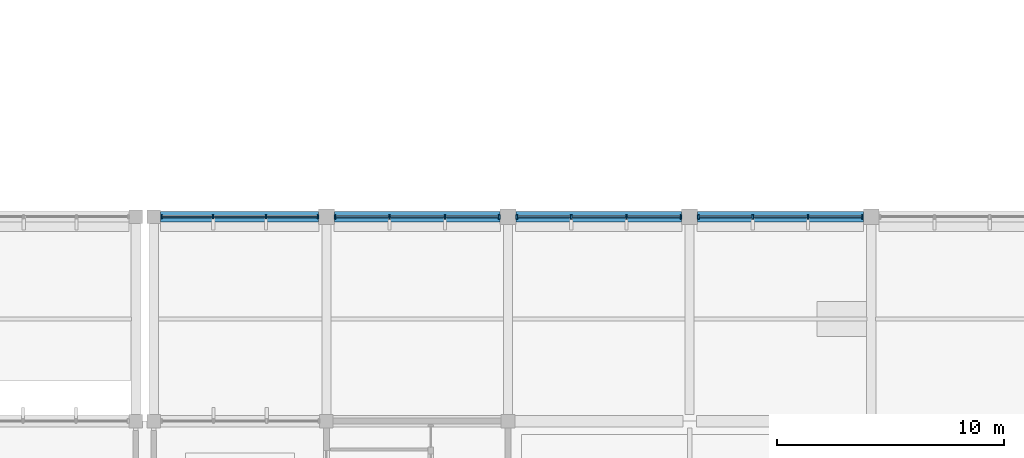
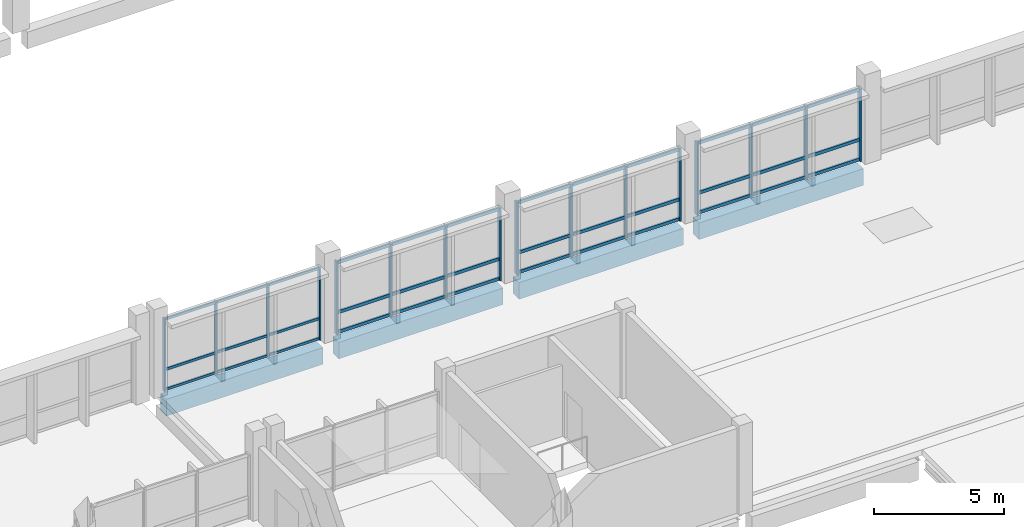
# One storey, part 32 of 70: 52 members, 4 beams, 4 elements without a shape of their own.
"""IFC4 building model written with IfcOpenShell, lengths in metres."""

from ifc_helpers import new_model, si_unit, direction, frame, origin, origin_2d, place, context, subcontext, project, spatial, rectangle, extrude, material, material_profile, profile_set, type_object, element, aggregate, save


model = new_model("IFC4")

# Units and contexts
model_context = context("Model", 3, precision=1e-05, world=origin(), true_north=direction((0.0, 1.0)))
body_context = subcontext(model_context, "Body", "Model", "MODEL_VIEW")
ifc_project = project(units=[si_unit("LENGTHUNIT", "METRE"), si_unit("AREAUNIT", "SQUARE_METRE"), si_unit("VOLUMEUNIT", "CUBIC_METRE"), si_unit("PLANEANGLEUNIT", "RADIAN"), si_unit("MASSUNIT", "GRAM", prefix="KILO"), si_unit("THERMODYNAMICTEMPERATUREUNIT", "KELVIN"), si_unit("POWERUNIT", "WATT")], contexts=[model_context])

# Site, building, storey
site_placement = place(None, origin())
site = spatial("IfcSite", under=ifc_project, at=site_placement, CompositionType="ELEMENT")
building_placement = place(site_placement, origin())
building = spatial("IfcBuilding", under=site, at=building_placement, Name="Kronsvod Quay Wholesale Market", CompositionType="ELEMENT")
storey_placement = place(building_placement, frame((0.0, 0.0, 9.0)))
storey = spatial("IfcBuildingStorey", under=building, at=storey_placement, Name="L02", CompositionType="ELEMENT", Elevation=9.0)

# Beams
ifc_material_1 = material(Name="Precast concrete C40/50", Category="concrete")
ifc_material_profile_1 = material_profile(ifc_material_1, rectangle(XDim=0.4599609375, YDim=0.780029296875, at=origin_2d()), Name="PB-03")
ifc_profile_set_1 = profile_set([ifc_material_profile_1], Name="Precast concrete C40/50")
beam_type = type_object("IfcBeamType", Name="Beam_PCB460x780", PredefinedType="BEAM", material=ifc_profile_set_1)
beam_placement = place(storey_placement, frame((128.699951171875, 54.0, -0.64990234375), z_axis=(1.0, 0.0, 0.0), x_axis=(0.0, 1.0, 0.0)))
element("IfcBeam", 1, at=beam_placement, inside=storey, type_object=beam_type, Name="BMX-L02-1284-540", PredefinedType="BEAM", context=body_context, shape_type="SweptSolid", body=[
    extrude(rectangle(XDim=0.4599609375, YDim=0.780029296875, at=origin_2d()), origin(), (0.0, 0.0, 1.0), 6.949951171875),
])
for number, where, z_axis, x_axis, name in (
    (2, (136.35009765625, 54.0, -0.64990234375), (1.0, 0.0, 0.0), (0.0, 1.0, 0.0), "BMX-L02-1360-540"),
    (3, (144.35009765625, 54.0, -0.64990234375), (1.0, 0.0, 0.0), (0.0, 1.0, 0.0), "BMX-L02-1440-540"),
    (4, (152.35009765625, 54.0, -0.64990234375), (1.0, 0.0, 0.0), (0.0, 1.0, 0.0), "BMX-L02-1520-540"),
):
    element("IfcBeam", number, at=place(storey_placement, frame(where, z_axis=z_axis, x_axis=x_axis)), inside=storey, type_object=beam_type, Name=name, PredefinedType="BEAM", context=body_context, shape_type="SweptSolid", body=[
        extrude(rectangle(XDim=0.4599609375, YDim=0.780029296875, at=origin_2d()), origin(), (0.0, 0.0, 1.0), 7.2998046875),
    ])

# Curtain wall, members
ifc_material_2 = material(Name="Thermally broken aluminium and triple low-E glazing", Category="aluminium")
curtain_wall_type = type_object("IfcCurtainWallType", Name="CW_Clerestory80x32", PredefinedType="NOTDEFINED", material=ifc_material_2)
curtain_wall_1_placement = place(storey_placement, origin())
curtain_wall_1 = element("IfcCurtainWall", 5, at=curtain_wall_1_placement, inside=storey, type_object=curtain_wall_type, Name="CWGX-L02-1284-540", PredefinedType="NOTDEFINED")
ifc_material_3 = material(Name="Anodised aluminium", Category="aluminium")
ifc_material_profile_2 = material_profile(ifc_material_3, rectangle(XDim=0.06494140625, YDim=0.159912109375, at=origin_2d()), Name="ALUM65x160")
ifc_profile_set_2 = profile_set([ifc_material_profile_2], Name="Anodised aluminium")
member_type_1 = type_object("IfcMemberType", Name="Mullion_ALU65x160", PredefinedType="MULLION", material=ifc_profile_set_2)
member_1_placement = place(storey_placement, frame((128.7275390625, 54.0, 0.0), z_axis=(0.0, 0.0, 1.0), x_axis=(1.0, 0.0, 0.0)))
member_1 = element("IfcMember", 6, at=member_1_placement, type_object=member_type_1, Name="CWGX-L02-1284-540-M1", PredefinedType="MULLION", context=body_context, shape_type="SweptSolid", body=[
    extrude(rectangle(XDim=0.06494140625, YDim=0.159912109375, at=origin_2d()), origin(), (0.0, 0.0, 1.0), 3.419921875),
])
member_2_placement = place(storey_placement, frame((131.014892578125, 54.0, 0.0), z_axis=(0.0, 0.0, 1.0), x_axis=(1.0, 0.0, 0.0)))
member_2 = element("IfcMember", 7, at=member_2_placement, type_object=member_type_1, Name="CWGX-L02-1284-540-M2", PredefinedType="MULLION", context=body_context, shape_type="SweptSolid", body=[
    extrude(rectangle(XDim=0.06494140625, YDim=0.159912109375, at=origin_2d()), origin(), (0.0, 0.0, 1.0), 3.419921875),
])
member_3_placement = place(storey_placement, frame((133.3349609375, 54.0, 0.0), z_axis=(0.0, 0.0, 1.0), x_axis=(1.0, 0.0, 0.0)))
member_3 = element("IfcMember", 8, at=member_3_placement, type_object=member_type_1, Name="CWGX-L02-1284-540-M3", PredefinedType="MULLION", context=body_context, shape_type="SweptSolid", body=[
    extrude(rectangle(XDim=0.06494140625, YDim=0.159912109375, at=origin_2d()), origin(), (0.0, 0.0, 1.0), 3.419921875),
])
member_4_placement = place(storey_placement, frame((135.62255859375, 54.0, 0.0), z_axis=(0.0, 0.0, 1.0), x_axis=(1.0, 0.0, 0.0)))
member_4 = element("IfcMember", 9, at=member_4_placement, type_object=member_type_1, Name="CWGX-L02-1284-540-M4", PredefinedType="MULLION", context=body_context, shape_type="SweptSolid", body=[
    extrude(rectangle(XDim=0.06494140625, YDim=0.159912109375, at=origin_2d()), origin(), (0.0, 0.0, 1.0), 3.419921875),
])

curtain_wall_2_placement = place(storey_placement, origin())
curtain_wall_2 = element("IfcCurtainWall", 10, at=curtain_wall_2_placement, inside=storey, type_object=curtain_wall_type, Name="CWGX-L02-1360-540", PredefinedType="NOTDEFINED")
ifc_material_4 = material(Name="Anodised aluminium", Category="aluminium")
ifc_material_profile_3 = material_profile(ifc_material_4, rectangle(XDim=0.074951171875, YDim=0.199951171875, at=origin_2d()), Name="ALUM75x200")
ifc_profile_set_3 = profile_set([ifc_material_profile_3], Name="Anodised aluminium")
member_type_2 = type_object("IfcMemberType", Name="Mullion_ALU75x200", PredefinedType="MULLION", material=ifc_profile_set_3)
member_5_placement = place(storey_placement, frame((136.382568359375, 54.0, 0.0), z_axis=(0.0, 0.0, 1.0), x_axis=(1.0, 0.0, 0.0)))
member_5 = element("IfcMember", 11, at=member_5_placement, type_object=member_type_2, Name="CWGX-L02-1360-540-M1", PredefinedType="MULLION", context=body_context, shape_type="SweptSolid", body=[
    extrude(rectangle(XDim=0.074951171875, YDim=0.199951171875, at=origin_2d()), origin(), (0.0, 0.0, 1.0), 3.419921875),
])
member_6_placement = place(storey_placement, frame((138.78173828125, 54.0, 0.0), z_axis=(0.0, 0.0, 1.0), x_axis=(1.0, 0.0, 0.0)))
member_6 = element("IfcMember", 12, at=member_6_placement, type_object=member_type_2, Name="CWGX-L02-1360-540-M2", PredefinedType="MULLION", context=body_context, shape_type="SweptSolid", body=[
    extrude(rectangle(XDim=0.074951171875, YDim=0.199951171875, at=origin_2d()), origin(), (0.0, 0.0, 1.0), 3.419921875),
])
member_7_placement = place(storey_placement, frame((141.21826171875, 54.0, 0.0), z_axis=(0.0, 0.0, 1.0), x_axis=(1.0, 0.0, 0.0)))
member_7 = element("IfcMember", 13, at=member_7_placement, type_object=member_type_2, Name="CWGX-L02-1360-540-M3", PredefinedType="MULLION", context=body_context, shape_type="SweptSolid", body=[
    extrude(rectangle(XDim=0.074951171875, YDim=0.199951171875, at=origin_2d()), origin(), (0.0, 0.0, 1.0), 3.419921875),
])
member_8_placement = place(storey_placement, frame((143.617431640625, 54.0, 0.0), z_axis=(0.0, 0.0, 1.0), x_axis=(1.0, 0.0, 0.0)))
member_8 = element("IfcMember", 14, at=member_8_placement, type_object=member_type_2, Name="CWGX-L02-1360-540-M4", PredefinedType="MULLION", context=body_context, shape_type="SweptSolid", body=[
    extrude(rectangle(XDim=0.074951171875, YDim=0.199951171875, at=origin_2d()), origin(), (0.0, 0.0, 1.0), 3.419921875),
])

curtain_wall_3_placement = place(storey_placement, origin())
curtain_wall_3 = element("IfcCurtainWall", 15, at=curtain_wall_3_placement, inside=storey, type_object=curtain_wall_type, Name="CWGX-L02-1440-540", PredefinedType="NOTDEFINED")
member_9_placement = place(storey_placement, frame((144.382568359375, 54.0, 0.0), z_axis=(0.0, 0.0, 1.0), x_axis=(1.0, 0.0, 0.0)))
member_9 = element("IfcMember", 16, at=member_9_placement, type_object=member_type_2, Name="CWGX-L02-1440-540-M1", PredefinedType="MULLION", context=body_context, shape_type="SweptSolid", body=[
    extrude(rectangle(XDim=0.074951171875, YDim=0.199951171875, at=origin_2d()), origin(), (0.0, 0.0, 1.0), 3.419921875),
])
member_10_placement = place(storey_placement, frame((146.78173828125, 54.0, 0.0), z_axis=(0.0, 0.0, 1.0), x_axis=(1.0, 0.0, 0.0)))
member_10 = element("IfcMember", 17, at=member_10_placement, type_object=member_type_2, Name="CWGX-L02-1440-540-M2", PredefinedType="MULLION", context=body_context, shape_type="SweptSolid", body=[
    extrude(rectangle(XDim=0.074951171875, YDim=0.199951171875, at=origin_2d()), origin(), (0.0, 0.0, 1.0), 3.419921875),
])
member_11_placement = place(storey_placement, frame((149.21826171875, 54.0, 0.0), z_axis=(0.0, 0.0, 1.0), x_axis=(1.0, 0.0, 0.0)))
member_11 = element("IfcMember", 18, at=member_11_placement, type_object=member_type_2, Name="CWGX-L02-1440-540-M3", PredefinedType="MULLION", context=body_context, shape_type="SweptSolid", body=[
    extrude(rectangle(XDim=0.074951171875, YDim=0.199951171875, at=origin_2d()), origin(), (0.0, 0.0, 1.0), 3.419921875),
])
member_12_placement = place(storey_placement, frame((151.617431640625, 54.0, 0.0), z_axis=(0.0, 0.0, 1.0), x_axis=(1.0, 0.0, 0.0)))
member_12 = element("IfcMember", 19, at=member_12_placement, type_object=member_type_2, Name="CWGX-L02-1440-540-M4", PredefinedType="MULLION", context=body_context, shape_type="SweptSolid", body=[
    extrude(rectangle(XDim=0.074951171875, YDim=0.199951171875, at=origin_2d()), origin(), (0.0, 0.0, 1.0), 3.419921875),
])

curtain_wall_4_placement = place(storey_placement, origin())
curtain_wall_4 = element("IfcCurtainWall", 20, at=curtain_wall_4_placement, inside=storey, type_object=curtain_wall_type, Name="CWGX-L02-1520-540", PredefinedType="NOTDEFINED")
member_13_placement = place(storey_placement, frame((152.382568359375, 54.0, 0.0), z_axis=(0.0, 0.0, 1.0), x_axis=(1.0, 0.0, 0.0)))
member_13 = element("IfcMember", 21, at=member_13_placement, type_object=member_type_2, Name="CWGX-L02-1520-540-M1", PredefinedType="MULLION", context=body_context, shape_type="SweptSolid", body=[
    extrude(rectangle(XDim=0.074951171875, YDim=0.199951171875, at=origin_2d()), origin(), (0.0, 0.0, 1.0), 3.419921875),
])
member_14_placement = place(storey_placement, frame((154.78173828125, 54.0, 0.0), z_axis=(0.0, 0.0, 1.0), x_axis=(1.0, 0.0, 0.0)))
member_14 = element("IfcMember", 22, at=member_14_placement, type_object=member_type_2, Name="CWGX-L02-1520-540-M2", PredefinedType="MULLION", context=body_context, shape_type="SweptSolid", body=[
    extrude(rectangle(XDim=0.074951171875, YDim=0.199951171875, at=origin_2d()), origin(), (0.0, 0.0, 1.0), 3.419921875),
])
member_15_placement = place(storey_placement, frame((157.21826171875, 54.0, 0.0), z_axis=(0.0, 0.0, 1.0), x_axis=(1.0, 0.0, 0.0)))
member_15 = element("IfcMember", 23, at=member_15_placement, type_object=member_type_2, Name="CWGX-L02-1520-540-M3", PredefinedType="MULLION", context=body_context, shape_type="SweptSolid", body=[
    extrude(rectangle(XDim=0.074951171875, YDim=0.199951171875, at=origin_2d()), origin(), (0.0, 0.0, 1.0), 3.419921875),
])
member_16_placement = place(storey_placement, frame((159.617431640625, 54.0, 0.0), z_axis=(0.0, 0.0, 1.0), x_axis=(1.0, 0.0, 0.0)))
member_16 = element("IfcMember", 24, at=member_16_placement, type_object=member_type_2, Name="CWGX-L02-1520-540-M4", PredefinedType="MULLION", context=body_context, shape_type="SweptSolid", body=[
    extrude(rectangle(XDim=0.074951171875, YDim=0.199951171875, at=origin_2d()), origin(), (0.0, 0.0, 1.0), 3.419921875),
])

# Member
ifc_material_5 = material(Name="Anodised aluminium", Category="aluminium")
ifc_material_profile_4 = material_profile(ifc_material_5, rectangle(XDim=0.06494140625, YDim=0.1201171875, at=origin_2d()), Name="ALUT65x120")
ifc_profile_set_4 = profile_set([ifc_material_profile_4], Name="Anodised aluminium")
member_type_3 = type_object("IfcMemberType", Name="Transom_ALU65x120", PredefinedType="USERDEFINED", material=ifc_profile_set_4)
member_17_placement = place(storey_placement, frame((128.760009765625, 54.0, 0.06005859375), z_axis=(1.0, 0.0, 0.0), x_axis=(0.0, 1.0, 0.0)))
member_17 = element("IfcMember", 25, at=member_17_placement, type_object=member_type_3, Name="CWGX-L02-1284-540-T1B1", ObjectType="TRANSOM", PredefinedType="USERDEFINED", context=body_context, shape_type="SweptSolid", body=[
    extrude(rectangle(XDim=0.06494140625, YDim=0.1201171875, at=origin_2d()), origin(), (0.0, 0.0, 1.0), 2.222412109375),
])

member_18_placement = place(storey_placement, frame((131.047607421875, 54.0, 0.06005859375), z_axis=(1.0, 0.0, 0.0), x_axis=(0.0, 1.0, 0.0)))
member_18 = element("IfcMember", 26, at=member_18_placement, type_object=member_type_3, Name="CWGX-L02-1284-540-T1B2", ObjectType="TRANSOM", PredefinedType="USERDEFINED", context=body_context, shape_type="SweptSolid", body=[
    extrude(rectangle(XDim=0.06494140625, YDim=0.1201171875, at=origin_2d()), origin(), (0.0, 0.0, 1.0), 2.2548828125),
])

member_19_placement = place(storey_placement, frame((133.367431640625, 54.0, 0.06005859375), z_axis=(1.0, 0.0, 0.0), x_axis=(0.0, 1.0, 0.0)))
member_19 = element("IfcMember", 27, at=member_19_placement, type_object=member_type_3, Name="CWGX-L02-1284-540-T1B3", ObjectType="TRANSOM", PredefinedType="USERDEFINED", context=body_context, shape_type="SweptSolid", body=[
    extrude(rectangle(XDim=0.06494140625, YDim=0.1201171875, at=origin_2d()), origin(), (0.0, 0.0, 1.0), 2.22265625),
])

member_20_placement = place(storey_placement, frame((128.760009765625, 54.0, 1.0), z_axis=(1.0, 0.0, 0.0), x_axis=(0.0, 1.0, 0.0)))
member_20 = element("IfcMember", 28, at=member_20_placement, type_object=member_type_3, Name="CWGX-L02-1284-540-T2B1", ObjectType="TRANSOM", PredefinedType="USERDEFINED", context=body_context, shape_type="SweptSolid", body=[
    extrude(rectangle(XDim=0.06494140625, YDim=0.1201171875, at=origin_2d()), origin(), (0.0, 0.0, 1.0), 2.222412109375),
])

member_21_placement = place(storey_placement, frame((131.047607421875, 54.0, 1.0), z_axis=(1.0, 0.0, 0.0), x_axis=(0.0, 1.0, 0.0)))
member_21 = element("IfcMember", 29, at=member_21_placement, type_object=member_type_3, Name="CWGX-L02-1284-540-T2B2", ObjectType="TRANSOM", PredefinedType="USERDEFINED", context=body_context, shape_type="SweptSolid", body=[
    extrude(rectangle(XDim=0.06494140625, YDim=0.1201171875, at=origin_2d()), origin(), (0.0, 0.0, 1.0), 2.2548828125),
])

member_22_placement = place(storey_placement, frame((133.367431640625, 54.0, 1.0), z_axis=(1.0, 0.0, 0.0), x_axis=(0.0, 1.0, 0.0)))
member_22 = element("IfcMember", 30, at=member_22_placement, type_object=member_type_3, Name="CWGX-L02-1284-540-T2B3", ObjectType="TRANSOM", PredefinedType="USERDEFINED", context=body_context, shape_type="SweptSolid", body=[
    extrude(rectangle(XDim=0.06494140625, YDim=0.1201171875, at=origin_2d()), origin(), (0.0, 0.0, 1.0), 2.22265625),
])

member_23_placement = place(storey_placement, frame((128.760009765625, 54.0, 3.360107421875), z_axis=(1.0, 0.0, 0.0), x_axis=(0.0, 1.0, 0.0)))
member_23 = element("IfcMember", 31, at=member_23_placement, type_object=member_type_3, Name="CWGX-L02-1284-540-T3B1", ObjectType="TRANSOM", PredefinedType="USERDEFINED", context=body_context, shape_type="SweptSolid", body=[
    extrude(rectangle(XDim=0.06494140625, YDim=0.1201171875, at=origin_2d()), origin(), (0.0, 0.0, 1.0), 2.222412109375),
])

member_24_placement = place(storey_placement, frame((131.047607421875, 54.0, 3.360107421875), z_axis=(1.0, 0.0, 0.0), x_axis=(0.0, 1.0, 0.0)))
member_24 = element("IfcMember", 32, at=member_24_placement, type_object=member_type_3, Name="CWGX-L02-1284-540-T3B2", ObjectType="TRANSOM", PredefinedType="USERDEFINED", context=body_context, shape_type="SweptSolid", body=[
    extrude(rectangle(XDim=0.06494140625, YDim=0.1201171875, at=origin_2d()), origin(), (0.0, 0.0, 1.0), 2.2548828125),
])

member_25_placement = place(storey_placement, frame((133.367431640625, 54.0, 3.360107421875), z_axis=(1.0, 0.0, 0.0), x_axis=(0.0, 1.0, 0.0)))
member_25 = element("IfcMember", 33, at=member_25_placement, type_object=member_type_3, Name="CWGX-L02-1284-540-T3B3", ObjectType="TRANSOM", PredefinedType="USERDEFINED", context=body_context, shape_type="SweptSolid", body=[
    extrude(rectangle(XDim=0.06494140625, YDim=0.1201171875, at=origin_2d()), origin(), (0.0, 0.0, 1.0), 2.22265625),
])

aggregate(curtain_wall_1, [member_1, member_2, member_3, member_4, member_17, member_18, member_19, member_20, member_21, member_22, member_23, member_24, member_25])

ifc_material_6 = material(Name="Anodised aluminium", Category="aluminium")
ifc_material_profile_5 = material_profile(ifc_material_6, rectangle(XDim=0.074951171875, YDim=0.14990234375, at=origin_2d()), Name="ALUT75x150")
ifc_profile_set_5 = profile_set([ifc_material_profile_5], Name="Anodised aluminium")
member_type_4 = type_object("IfcMemberType", Name="Transom_ALU75x150", PredefinedType="USERDEFINED", material=ifc_profile_set_5)
member_26_placement = place(storey_placement, frame((136.419921875, 54.0, 0.074951171875), z_axis=(1.0, 0.0, 0.0), x_axis=(0.0, 1.0, 0.0)))
member_26 = element("IfcMember", 34, at=member_26_placement, type_object=member_type_4, Name="CWGX-L02-1360-540-T1B1", ObjectType="TRANSOM", PredefinedType="USERDEFINED", context=body_context, shape_type="SweptSolid", body=[
    extrude(rectangle(XDim=0.074951171875, YDim=0.14990234375, at=origin_2d()), origin(), (0.0, 0.0, 1.0), 2.32421875),
])

member_27_placement = place(storey_placement, frame((138.819091796875, 54.0, 0.074951171875), z_axis=(1.0, 0.0, 0.0), x_axis=(0.0, 1.0, 0.0)))
member_27 = element("IfcMember", 35, at=member_27_placement, type_object=member_type_4, Name="CWGX-L02-1360-540-T1B2", ObjectType="TRANSOM", PredefinedType="USERDEFINED", context=body_context, shape_type="SweptSolid", body=[
    extrude(rectangle(XDim=0.074951171875, YDim=0.14990234375, at=origin_2d()), origin(), (0.0, 0.0, 1.0), 2.36181640625),
])

member_28_placement = place(storey_placement, frame((141.255859375, 54.0, 0.074951171875), z_axis=(1.0, 0.0, 0.0), x_axis=(0.0, 1.0, 0.0)))
member_28 = element("IfcMember", 36, at=member_28_placement, type_object=member_type_4, Name="CWGX-L02-1360-540-T1B3", ObjectType="TRANSOM", PredefinedType="USERDEFINED", context=body_context, shape_type="SweptSolid", body=[
    extrude(rectangle(XDim=0.074951171875, YDim=0.14990234375, at=origin_2d()), origin(), (0.0, 0.0, 1.0), 2.32421875),
])

member_29_placement = place(storey_placement, frame((136.419921875, 54.0, 1.0), z_axis=(1.0, 0.0, 0.0), x_axis=(0.0, 1.0, 0.0)))
member_29 = element("IfcMember", 37, at=member_29_placement, type_object=member_type_4, Name="CWGX-L02-1360-540-T2B1", ObjectType="TRANSOM", PredefinedType="USERDEFINED", context=body_context, shape_type="SweptSolid", body=[
    extrude(rectangle(XDim=0.074951171875, YDim=0.14990234375, at=origin_2d()), origin(), (0.0, 0.0, 1.0), 2.32421875),
])

member_30_placement = place(storey_placement, frame((138.819091796875, 54.0, 1.0), z_axis=(1.0, 0.0, 0.0), x_axis=(0.0, 1.0, 0.0)))
member_30 = element("IfcMember", 38, at=member_30_placement, type_object=member_type_4, Name="CWGX-L02-1360-540-T2B2", ObjectType="TRANSOM", PredefinedType="USERDEFINED", context=body_context, shape_type="SweptSolid", body=[
    extrude(rectangle(XDim=0.074951171875, YDim=0.14990234375, at=origin_2d()), origin(), (0.0, 0.0, 1.0), 2.36181640625),
])

member_31_placement = place(storey_placement, frame((141.255859375, 54.0, 1.0), z_axis=(1.0, 0.0, 0.0), x_axis=(0.0, 1.0, 0.0)))
member_31 = element("IfcMember", 39, at=member_31_placement, type_object=member_type_4, Name="CWGX-L02-1360-540-T2B3", ObjectType="TRANSOM", PredefinedType="USERDEFINED", context=body_context, shape_type="SweptSolid", body=[
    extrude(rectangle(XDim=0.074951171875, YDim=0.14990234375, at=origin_2d()), origin(), (0.0, 0.0, 1.0), 2.32421875),
])

member_32_placement = place(storey_placement, frame((136.419921875, 54.0, 3.344970703125), z_axis=(1.0, 0.0, 0.0), x_axis=(0.0, 1.0, 0.0)))
member_32 = element("IfcMember", 40, at=member_32_placement, type_object=member_type_4, Name="CWGX-L02-1360-540-T3B1", ObjectType="TRANSOM", PredefinedType="USERDEFINED", context=body_context, shape_type="SweptSolid", body=[
    extrude(rectangle(XDim=0.074951171875, YDim=0.14990234375, at=origin_2d()), origin(), (0.0, 0.0, 1.0), 2.32421875),
])

member_33_placement = place(storey_placement, frame((138.819091796875, 54.0, 3.344970703125), z_axis=(1.0, 0.0, 0.0), x_axis=(0.0, 1.0, 0.0)))
member_33 = element("IfcMember", 41, at=member_33_placement, type_object=member_type_4, Name="CWGX-L02-1360-540-T3B2", ObjectType="TRANSOM", PredefinedType="USERDEFINED", context=body_context, shape_type="SweptSolid", body=[
    extrude(rectangle(XDim=0.074951171875, YDim=0.14990234375, at=origin_2d()), origin(), (0.0, 0.0, 1.0), 2.36181640625),
])

member_34_placement = place(storey_placement, frame((141.255859375, 54.0, 3.344970703125), z_axis=(1.0, 0.0, 0.0), x_axis=(0.0, 1.0, 0.0)))
member_34 = element("IfcMember", 42, at=member_34_placement, type_object=member_type_4, Name="CWGX-L02-1360-540-T3B3", ObjectType="TRANSOM", PredefinedType="USERDEFINED", context=body_context, shape_type="SweptSolid", body=[
    extrude(rectangle(XDim=0.074951171875, YDim=0.14990234375, at=origin_2d()), origin(), (0.0, 0.0, 1.0), 2.32421875),
])

aggregate(curtain_wall_2, [member_5, member_6, member_7, member_8, member_26, member_27, member_28, member_29, member_30, member_31, member_32, member_33, member_34])

member_35_placement = place(storey_placement, frame((144.419921875, 54.0, 0.074951171875), z_axis=(1.0, 0.0, 0.0), x_axis=(0.0, 1.0, 0.0)))
member_35 = element("IfcMember", 43, at=member_35_placement, type_object=member_type_4, Name="CWGX-L02-1440-540-T1B1", ObjectType="TRANSOM", PredefinedType="USERDEFINED", context=body_context, shape_type="SweptSolid", body=[
    extrude(rectangle(XDim=0.074951171875, YDim=0.14990234375, at=origin_2d()), origin(), (0.0, 0.0, 1.0), 2.32421875),
])

member_36_placement = place(storey_placement, frame((146.819091796875, 54.0, 0.074951171875), z_axis=(1.0, 0.0, 0.0), x_axis=(0.0, 1.0, 0.0)))
member_36 = element("IfcMember", 44, at=member_36_placement, type_object=member_type_4, Name="CWGX-L02-1440-540-T1B2", ObjectType="TRANSOM", PredefinedType="USERDEFINED", context=body_context, shape_type="SweptSolid", body=[
    extrude(rectangle(XDim=0.074951171875, YDim=0.14990234375, at=origin_2d()), origin(), (0.0, 0.0, 1.0), 2.36181640625),
])

member_37_placement = place(storey_placement, frame((149.255859375, 54.0, 0.074951171875), z_axis=(1.0, 0.0, 0.0), x_axis=(0.0, 1.0, 0.0)))
member_37 = element("IfcMember", 45, at=member_37_placement, type_object=member_type_4, Name="CWGX-L02-1440-540-T1B3", ObjectType="TRANSOM", PredefinedType="USERDEFINED", context=body_context, shape_type="SweptSolid", body=[
    extrude(rectangle(XDim=0.074951171875, YDim=0.14990234375, at=origin_2d()), origin(), (0.0, 0.0, 1.0), 2.32421875),
])

member_38_placement = place(storey_placement, frame((144.419921875, 54.0, 1.0), z_axis=(1.0, 0.0, 0.0), x_axis=(0.0, 1.0, 0.0)))
member_38 = element("IfcMember", 46, at=member_38_placement, type_object=member_type_4, Name="CWGX-L02-1440-540-T2B1", ObjectType="TRANSOM", PredefinedType="USERDEFINED", context=body_context, shape_type="SweptSolid", body=[
    extrude(rectangle(XDim=0.074951171875, YDim=0.14990234375, at=origin_2d()), origin(), (0.0, 0.0, 1.0), 2.32421875),
])

member_39_placement = place(storey_placement, frame((146.819091796875, 54.0, 1.0), z_axis=(1.0, 0.0, 0.0), x_axis=(0.0, 1.0, 0.0)))
member_39 = element("IfcMember", 47, at=member_39_placement, type_object=member_type_4, Name="CWGX-L02-1440-540-T2B2", ObjectType="TRANSOM", PredefinedType="USERDEFINED", context=body_context, shape_type="SweptSolid", body=[
    extrude(rectangle(XDim=0.074951171875, YDim=0.14990234375, at=origin_2d()), origin(), (0.0, 0.0, 1.0), 2.36181640625),
])

member_40_placement = place(storey_placement, frame((149.255859375, 54.0, 1.0), z_axis=(1.0, 0.0, 0.0), x_axis=(0.0, 1.0, 0.0)))
member_40 = element("IfcMember", 48, at=member_40_placement, type_object=member_type_4, Name="CWGX-L02-1440-540-T2B3", ObjectType="TRANSOM", PredefinedType="USERDEFINED", context=body_context, shape_type="SweptSolid", body=[
    extrude(rectangle(XDim=0.074951171875, YDim=0.14990234375, at=origin_2d()), origin(), (0.0, 0.0, 1.0), 2.32421875),
])

member_41_placement = place(storey_placement, frame((144.419921875, 54.0, 3.344970703125), z_axis=(1.0, 0.0, 0.0), x_axis=(0.0, 1.0, 0.0)))
member_41 = element("IfcMember", 49, at=member_41_placement, type_object=member_type_4, Name="CWGX-L02-1440-540-T3B1", ObjectType="TRANSOM", PredefinedType="USERDEFINED", context=body_context, shape_type="SweptSolid", body=[
    extrude(rectangle(XDim=0.074951171875, YDim=0.14990234375, at=origin_2d()), origin(), (0.0, 0.0, 1.0), 2.32421875),
])

member_42_placement = place(storey_placement, frame((146.819091796875, 54.0, 3.344970703125), z_axis=(1.0, 0.0, 0.0), x_axis=(0.0, 1.0, 0.0)))
member_42 = element("IfcMember", 50, at=member_42_placement, type_object=member_type_4, Name="CWGX-L02-1440-540-T3B2", ObjectType="TRANSOM", PredefinedType="USERDEFINED", context=body_context, shape_type="SweptSolid", body=[
    extrude(rectangle(XDim=0.074951171875, YDim=0.14990234375, at=origin_2d()), origin(), (0.0, 0.0, 1.0), 2.36181640625),
])

member_43_placement = place(storey_placement, frame((149.255859375, 54.0, 3.344970703125), z_axis=(1.0, 0.0, 0.0), x_axis=(0.0, 1.0, 0.0)))
member_43 = element("IfcMember", 51, at=member_43_placement, type_object=member_type_4, Name="CWGX-L02-1440-540-T3B3", ObjectType="TRANSOM", PredefinedType="USERDEFINED", context=body_context, shape_type="SweptSolid", body=[
    extrude(rectangle(XDim=0.074951171875, YDim=0.14990234375, at=origin_2d()), origin(), (0.0, 0.0, 1.0), 2.32421875),
])

aggregate(curtain_wall_3, [member_9, member_10, member_11, member_12, member_35, member_36, member_37, member_38, member_39, member_40, member_41, member_42, member_43])

member_44_placement = place(storey_placement, frame((152.419921875, 54.0, 0.074951171875), z_axis=(1.0, 0.0, 0.0), x_axis=(0.0, 1.0, 0.0)))
member_44 = element("IfcMember", 52, at=member_44_placement, type_object=member_type_4, Name="CWGX-L02-1520-540-T1B1", ObjectType="TRANSOM", PredefinedType="USERDEFINED", context=body_context, shape_type="SweptSolid", body=[
    extrude(rectangle(XDim=0.074951171875, YDim=0.14990234375, at=origin_2d()), origin(), (0.0, 0.0, 1.0), 2.32421875),
])

member_45_placement = place(storey_placement, frame((154.819091796875, 54.0, 0.074951171875), z_axis=(1.0, 0.0, 0.0), x_axis=(0.0, 1.0, 0.0)))
member_45 = element("IfcMember", 53, at=member_45_placement, type_object=member_type_4, Name="CWGX-L02-1520-540-T1B2", ObjectType="TRANSOM", PredefinedType="USERDEFINED", context=body_context, shape_type="SweptSolid", body=[
    extrude(rectangle(XDim=0.074951171875, YDim=0.14990234375, at=origin_2d()), origin(), (0.0, 0.0, 1.0), 2.36181640625),
])

member_46_placement = place(storey_placement, frame((157.255859375, 54.0, 0.074951171875), z_axis=(1.0, 0.0, 0.0), x_axis=(0.0, 1.0, 0.0)))
member_46 = element("IfcMember", 54, at=member_46_placement, type_object=member_type_4, Name="CWGX-L02-1520-540-T1B3", ObjectType="TRANSOM", PredefinedType="USERDEFINED", context=body_context, shape_type="SweptSolid", body=[
    extrude(rectangle(XDim=0.074951171875, YDim=0.14990234375, at=origin_2d()), origin(), (0.0, 0.0, 1.0), 2.32421875),
])

member_47_placement = place(storey_placement, frame((152.419921875, 54.0, 1.0), z_axis=(1.0, 0.0, 0.0), x_axis=(0.0, 1.0, 0.0)))
member_47 = element("IfcMember", 55, at=member_47_placement, type_object=member_type_4, Name="CWGX-L02-1520-540-T2B1", ObjectType="TRANSOM", PredefinedType="USERDEFINED", context=body_context, shape_type="SweptSolid", body=[
    extrude(rectangle(XDim=0.074951171875, YDim=0.14990234375, at=origin_2d()), origin(), (0.0, 0.0, 1.0), 2.32421875),
])

member_48_placement = place(storey_placement, frame((154.819091796875, 54.0, 1.0), z_axis=(1.0, 0.0, 0.0), x_axis=(0.0, 1.0, 0.0)))
member_48 = element("IfcMember", 56, at=member_48_placement, type_object=member_type_4, Name="CWGX-L02-1520-540-T2B2", ObjectType="TRANSOM", PredefinedType="USERDEFINED", context=body_context, shape_type="SweptSolid", body=[
    extrude(rectangle(XDim=0.074951171875, YDim=0.14990234375, at=origin_2d()), origin(), (0.0, 0.0, 1.0), 2.36181640625),
])

member_49_placement = place(storey_placement, frame((157.255859375, 54.0, 1.0), z_axis=(1.0, 0.0, 0.0), x_axis=(0.0, 1.0, 0.0)))
member_49 = element("IfcMember", 57, at=member_49_placement, type_object=member_type_4, Name="CWGX-L02-1520-540-T2B3", ObjectType="TRANSOM", PredefinedType="USERDEFINED", context=body_context, shape_type="SweptSolid", body=[
    extrude(rectangle(XDim=0.074951171875, YDim=0.14990234375, at=origin_2d()), origin(), (0.0, 0.0, 1.0), 2.32421875),
])

member_50_placement = place(storey_placement, frame((152.419921875, 54.0, 3.344970703125), z_axis=(1.0, 0.0, 0.0), x_axis=(0.0, 1.0, 0.0)))
member_50 = element("IfcMember", 58, at=member_50_placement, type_object=member_type_4, Name="CWGX-L02-1520-540-T3B1", ObjectType="TRANSOM", PredefinedType="USERDEFINED", context=body_context, shape_type="SweptSolid", body=[
    extrude(rectangle(XDim=0.074951171875, YDim=0.14990234375, at=origin_2d()), origin(), (0.0, 0.0, 1.0), 2.32421875),
])

member_51_placement = place(storey_placement, frame((154.819091796875, 54.0, 3.344970703125), z_axis=(1.0, 0.0, 0.0), x_axis=(0.0, 1.0, 0.0)))
member_51 = element("IfcMember", 59, at=member_51_placement, type_object=member_type_4, Name="CWGX-L02-1520-540-T3B2", ObjectType="TRANSOM", PredefinedType="USERDEFINED", context=body_context, shape_type="SweptSolid", body=[
    extrude(rectangle(XDim=0.074951171875, YDim=0.14990234375, at=origin_2d()), origin(), (0.0, 0.0, 1.0), 2.36181640625),
])

member_52_placement = place(storey_placement, frame((157.255859375, 54.0, 3.344970703125), z_axis=(1.0, 0.0, 0.0), x_axis=(0.0, 1.0, 0.0)))
member_52 = element("IfcMember", 60, at=member_52_placement, type_object=member_type_4, Name="CWGX-L02-1520-540-T3B3", ObjectType="TRANSOM", PredefinedType="USERDEFINED", context=body_context, shape_type="SweptSolid", body=[
    extrude(rectangle(XDim=0.074951171875, YDim=0.14990234375, at=origin_2d()), origin(), (0.0, 0.0, 1.0), 2.32421875),
])

aggregate(curtain_wall_4, [member_13, member_14, member_15, member_16, member_44, member_45, member_46, member_47, member_48, member_49, member_50, member_51, member_52])

save(model, "model.ifc")
